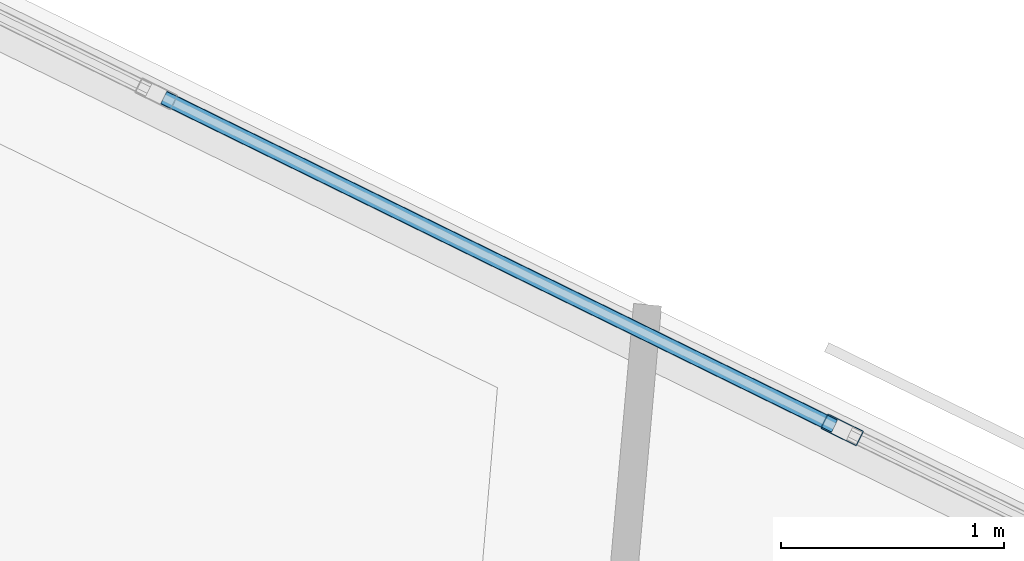
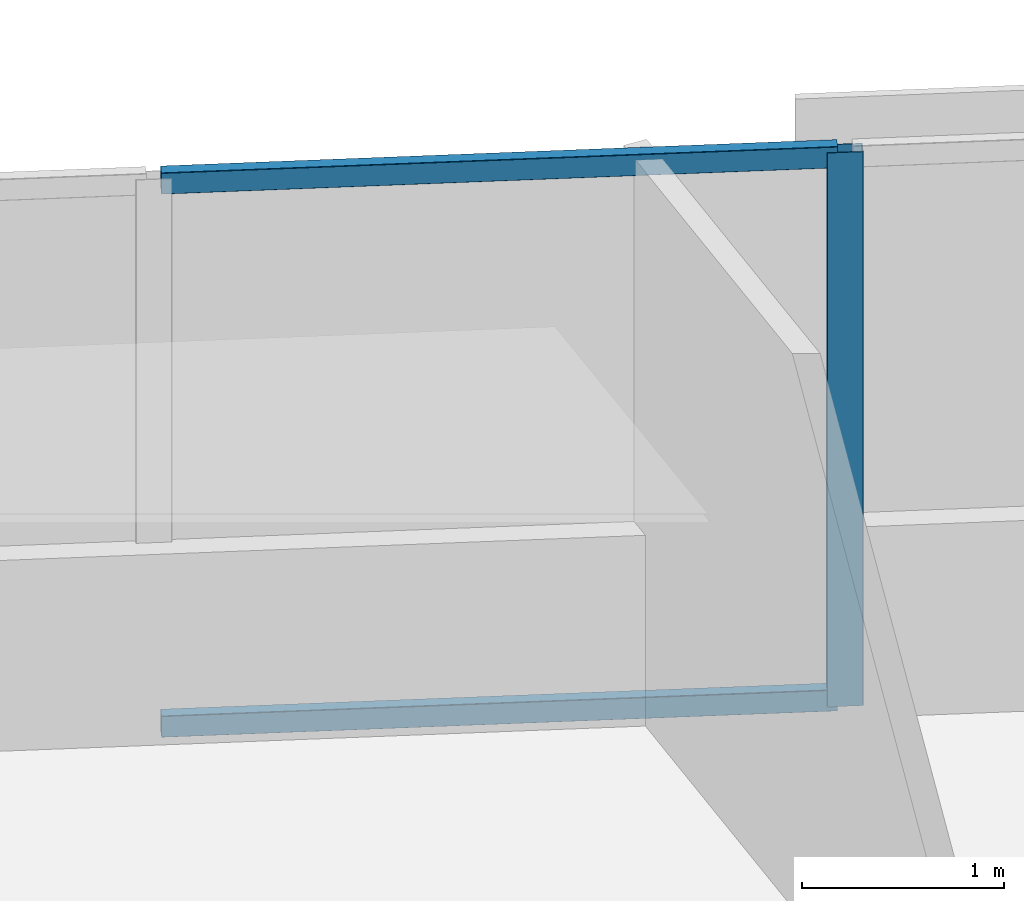
# One storey, part 11 of 18: 3 members, 1 element without a shape of its own.
"""IFC4 building model written with IfcOpenShell, lengths in metres."""

from ifc_helpers import new_model, si_unit, direction, frame, origin, origin_2d, place, context, subcontext, project, spatial, hollow_rectangle, extrude, material, material_profile, profile_set, type_object, element, aggregate, save


model = new_model("IFC4")

# Units and contexts
model_context = context("Model", 3, precision=1e-05, world=origin(), true_north=direction((0.0, 1.0)))
body_context = subcontext(model_context, "Body", "Model", "MODEL_VIEW")
ifc_project = project(units=[si_unit("LENGTHUNIT", "METRE"), si_unit("AREAUNIT", "SQUARE_METRE"), si_unit("VOLUMEUNIT", "CUBIC_METRE"), si_unit("PLANEANGLEUNIT", "RADIAN"), si_unit("MASSUNIT", "GRAM", prefix="KILO")], contexts=[model_context])

# Site, building, storey
site_placement = place(None, origin())
site = spatial("IfcSite", under=ifc_project, at=site_placement, CompositionType="ELEMENT")
building_placement = place(site_placement, origin())
building = spatial("IfcBuilding", under=site, at=building_placement, Name="Narakoshi Arena Tower", CompositionType="ELEMENT")
storey_placement = place(building_placement, frame((0.0, 0.0, 102.89990234375)))
storey = spatial("IfcBuildingStorey", under=building, at=storey_placement, Name="L27", CompositionType="ELEMENT", Elevation=102.89990234375)

# Curtain wall, members
ifc_material = material(Name="Anodised bronze aluminium 6063-T6", Category="aluminium")
curtain_wall_type = type_object("IfcCurtainWallType", Name="CW-HYP-LOW", PredefinedType="NOTDEFINED", material=ifc_material)
curtain_wall_placement = place(storey_placement, origin())
curtain_wall = element("IfcCurtainWall", 1, at=curtain_wall_placement, inside=storey, type_object=curtain_wall_type, Name="L27 Folded Hypotenuse Curtain Wall 2-1", PredefinedType="NOTDEFINED")
ifc_material_profile_1 = material_profile(ifc_material, hollow_rectangle(XDim=0.074951171875, YDim=0.179931640625, WallThickness=0.00390625, OuterFilletRadius=0.0048828125, at=origin_2d()), Name="MUL180x75x4")
ifc_profile_set_1 = profile_set([ifc_material_profile_1], Name="Anodised bronze aluminium 6063-T6")
member_type_1 = type_object("IfcMemberType", Name="MEM-MUL-180", PredefinedType="MULLION", material=ifc_profile_set_1)
member_1_placement = place(storey_placement, frame((81.486083984375, 65.51025390625, 0.0), z_axis=(0.0, 0.0, 1.0), x_axis=(-0.440004510198, -0.89799556291, 0.0)))
member_1 = element("IfcMember", 2, at=member_1_placement, type_object=member_type_1, Name="CW-01 mullion 3", PredefinedType="MULLION", context=body_context, shape_type="SweptSolid", body=[
    extrude(hollow_rectangle(XDim=0.074951171875, YDim=0.179931640625, WallThickness=0.00390625, OuterFilletRadius=0.0048828125, at=origin_2d()), origin(), (0.0, 0.0, 1.0), 3.340087890625),
])
ifc_material_profile_2 = material_profile(ifc_material, hollow_rectangle(XDim=0.06494140625, YDim=0.1298828125, WallThickness=0.00390625, OuterFilletRadius=0.0048828125, at=origin_2d()), Name="TRN130x65x4")
ifc_profile_set_2 = profile_set([ifc_material_profile_2], Name="Anodised bronze aluminium 6063-T6")
member_type_2 = type_object("IfcMemberType", Name="MEM-TRN-130", PredefinedType="USERDEFINED", material=ifc_profile_set_2)
member_2_placement = place(storey_placement, frame((81.452392578125, 65.52685546875, 0.03271484375), z_axis=(-0.898000963691, 0.439993487691, 0.0), x_axis=(-0.439993487691, -0.898000963691, 0.0)))
member_2 = element("IfcMember", 3, at=member_2_placement, type_object=member_type_2, Name="CW-01 transom 3.1", ObjectType="TRANSOM", PredefinedType="USERDEFINED", context=body_context, shape_type="SweptSolid", body=[
    extrude(hollow_rectangle(XDim=0.06494140625, YDim=0.1298828125, WallThickness=0.00390625, OuterFilletRadius=0.0048828125, at=origin_2d()), origin(), (0.0, 0.0, 1.0), 3.34765625),
])
member_3_placement = place(storey_placement, frame((81.452392578125, 65.52685546875, 3.3076171875), z_axis=(-0.898000963691, 0.439993487691, 0.0), x_axis=(-0.439993487691, -0.898000963691, 0.0)))
member_3 = element("IfcMember", 4, at=member_3_placement, type_object=member_type_2, Name="CW-01 transom 3.2", ObjectType="TRANSOM", PredefinedType="USERDEFINED", context=body_context, shape_type="SweptSolid", body=[
    extrude(hollow_rectangle(XDim=0.06494140625, YDim=0.1298828125, WallThickness=0.00390625, OuterFilletRadius=0.0048828125, at=origin_2d()), origin(), (0.0, 0.0, 1.0), 3.34765625),
])
aggregate(curtain_wall, [member_1, member_2, member_3])

save(model, "model.ifc")
